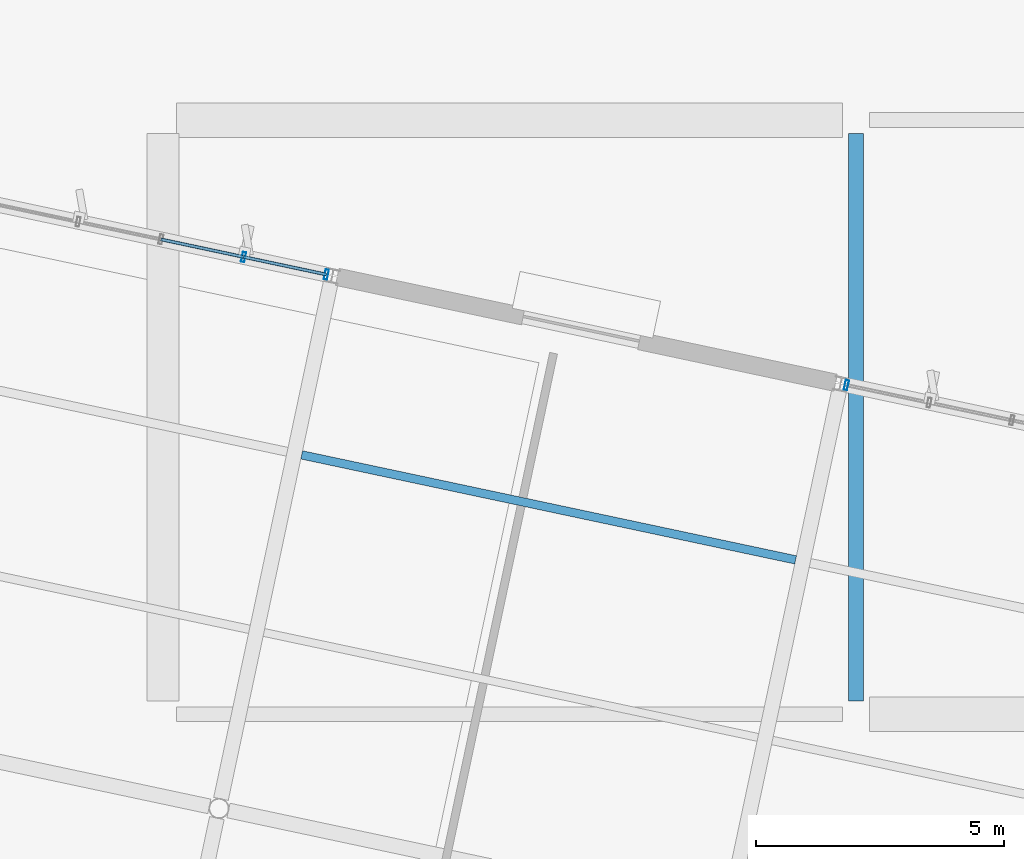
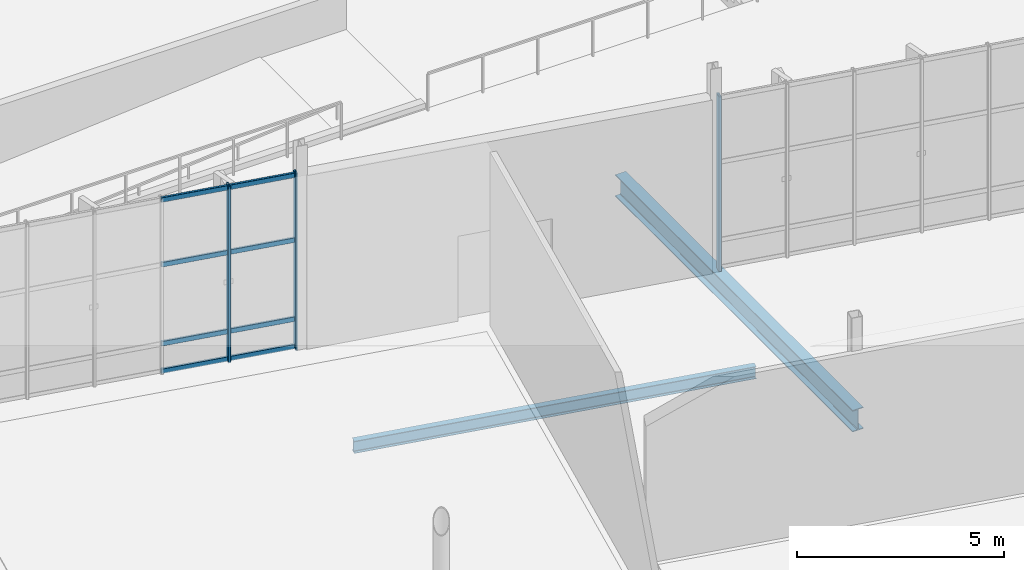
# One storey, part 56 of 163: 11 members, 2 beams, 2 elements without a shape of their own.
"""IFC4 building model written with IfcOpenShell, lengths in metres."""

from ifc_helpers import new_model, si_unit, direction, frame, origin, origin_2d, place, context, subcontext, project, spatial, hollow_rectangle, i_section, extrude, material, layer, layer_set, material_profile, profile_set, type_object, element, aggregate, save


model = new_model("IFC4")

# Units and contexts
model_context = context("Model", 3, precision=1e-05, world=origin(), true_north=direction((0.0, 1.0)))
body_context = subcontext(model_context, "Body", "Model", "MODEL_VIEW")
ifc_project = project(units=[si_unit("LENGTHUNIT", "METRE"), si_unit("AREAUNIT", "SQUARE_METRE"), si_unit("VOLUMEUNIT", "CUBIC_METRE"), si_unit("PLANEANGLEUNIT", "RADIAN"), si_unit("MASSUNIT", "GRAM", prefix="KILO")], contexts=[model_context])

# Site, building, storey
site_placement = place(None, origin())
site = spatial("IfcSite", under=ifc_project, at=site_placement, CompositionType="ELEMENT")
building_placement = place(site_placement, origin())
building = spatial("IfcBuilding", under=site, at=building_placement, Name="Khorjan Park Terminus", CompositionType="ELEMENT")
storey_placement = place(building_placement, origin())
storey = spatial("IfcBuildingStorey", under=building, at=storey_placement, Name="L00", CompositionType="ELEMENT", Elevation=0.0)

# Beams
ifc_material_1 = material(Name="Steel S355", Category="steel")
ifc_material_profile_1 = material_profile(ifc_material_1, i_section(OverallWidth=0.3, OverallDepth=0.64, WebThickness=0.0135, FlangeThickness=0.026, FilletRadius=0.027, at=origin_2d()), Name="HEA 650")
ifc_profile_set_1 = profile_set([ifc_material_profile_1], Name="Steel S355")
beam_type_1 = type_object("IfcBeamType", Name="BM-HEA650", PredefinedType="BEAM", material=ifc_profile_set_1)
beam_1_placement = place(storey_placement, frame((24.0, 74.27, -0.66), z_axis=(0.0, 1.0, 0.0), x_axis=(-1.0, 0.0, 0.0)))
element("IfcBeam", 1, at=beam_1_placement, inside=storey, type_object=beam_type_1, Name="Primary floor girder SB-A65 (L00)", PredefinedType="BEAM", context=body_context, shape_type="SweptSolid", body=[
    extrude(i_section(OverallWidth=0.3, OverallDepth=0.64, WebThickness=0.0135, FlangeThickness=0.026, FilletRadius=0.027, at=origin_2d()), origin(), (0.0, 0.0, 1.0), 11.46),
])
ifc_material_profile_2 = material_profile(ifc_material_1, i_section(OverallWidth=0.17, OverallDepth=0.36, WebThickness=0.008, FlangeThickness=0.0127, FilletRadius=0.018, at=origin_2d()), Name="IPE 360")
ifc_profile_set_2 = profile_set([ifc_material_profile_2], Name="Steel S355")
beam_type_2 = type_object("IfcBeamType", Name="JS-IPE360", PredefinedType="JOIST", material=ifc_profile_set_2)
beam_2_placement = place(storey_placement, frame((12.803, 79.2377, -0.52), z_axis=(0.978147562282, -0.207911871719, 0.0), x_axis=(0.207911871719, 0.978147562282, 0.0)))
element("IfcBeam", 2, at=beam_2_placement, inside=storey, type_object=beam_type_2, Name="Secondary composite floor joist SJ-36 (L00)", PredefinedType="JOIST", context=body_context, shape_type="SweptSolid", body=[
    extrude(i_section(OverallWidth=0.17, OverallDepth=0.36, WebThickness=0.008, FlangeThickness=0.0127, FilletRadius=0.018, at=origin_2d()), origin(), (0.0, 0.0, 1.0), 10.2),
])

# Curtain wall, member
ifc_material_2 = material(Name="Anodized Bronze Aluminium", Category="aluminium")
ifc_layer = layer(ifc_material_2, 0.22)
ifc_layer_set = layer_set([ifc_layer], Name="Anodized Bronze Aluminium")
curtain_wall_type = type_object("IfcCurtainWallType", Name="CW-PAV-C", PredefinedType="NOTDEFINED", material=ifc_layer_set)
curtain_wall_1_placement = place(storey_placement, origin())
curtain_wall_1 = element("IfcCurtainWall", 3, at=curtain_wall_1_placement, inside=storey, type_object=curtain_wall_type, Name="Unitized curtain wall CW-C (CW-V4-N-L00-B01)", PredefinedType="NOTDEFINED")
ifc_material_profile_3 = material_profile(ifc_material_2, hollow_rectangle(XDim=0.07, YDim=0.2, WallThickness=0.005, InnerFilletRadius=0.005, OuterFilletRadius=0.01, at=origin_2d()), Name="ALM 70x200x5")
ifc_profile_set_3 = profile_set([ifc_material_profile_3], Name="Anodized Bronze Aluminium")
member_type_1 = type_object("IfcMemberType", Name="ML-ALM-200", PredefinedType="MULLION", material=ifc_profile_set_3)
member_1_placement = place(storey_placement, frame((23.8064, 80.6474, -0.035), z_axis=(0.0, 0.0, 1.0), x_axis=(-0.978149552254, 0.207902509423, 0.0)))
member_1 = element("IfcMember", 4, at=member_1_placement, type_object=member_type_1, Name="Curtain-wall mullion ML-20 (CW-V4-N-L00-B01-6)", PredefinedType="MULLION", context=body_context, shape_type="SweptSolid", body=[
    extrude(hollow_rectangle(XDim=0.07, YDim=0.2, WallThickness=0.005, InnerFilletRadius=0.005, OuterFilletRadius=0.01, at=origin_2d()), origin(), (0.0, 0.0, 1.0), 5.145),
])
aggregate(curtain_wall_1, [member_1])

# Curtain wall, members
curtain_wall_2_placement = place(storey_placement, origin())
curtain_wall_2 = element("IfcCurtainWall", 5, at=curtain_wall_2_placement, inside=storey, type_object=curtain_wall_type, Name="Unitized curtain wall CW-C (CW-V4-N-L00-B03)", PredefinedType="NOTDEFINED")
member_2_placement = place(storey_placement, frame((13.3017, 82.8803, -0.035), z_axis=(0.0, 0.0, 1.0), x_axis=(-0.978147146591, 0.207913827382, 0.0)))
member_2 = element("IfcMember", 6, at=member_2_placement, type_object=member_type_1, Name="Curtain-wall mullion ML-20 (CW-V4-N-L00-B03-0)", PredefinedType="MULLION", context=body_context, shape_type="SweptSolid", body=[
    extrude(hollow_rectangle(XDim=0.07, YDim=0.2, WallThickness=0.005, InnerFilletRadius=0.005, OuterFilletRadius=0.01, at=origin_2d()), origin(), (0.0, 0.0, 1.0), 5.195),
])
member_3_placement = place(storey_placement, frame((11.6306, 83.2355, -0.035), z_axis=(0.0, 0.0, 1.0), x_axis=(-0.978147146591, 0.207913827382, 0.0)))
member_3 = element("IfcMember", 7, at=member_3_placement, type_object=member_type_1, Name="Curtain-wall mullion ML-20 (CW-V4-N-L00-B03-1)", PredefinedType="MULLION", context=body_context, shape_type="SweptSolid", body=[
    extrude(hollow_rectangle(XDim=0.07, YDim=0.2, WallThickness=0.005, InnerFilletRadius=0.005, OuterFilletRadius=0.01, at=origin_2d()), origin(), (0.0, 0.0, 1.0), 5.195),
])
ifc_material_profile_4 = material_profile(ifc_material_2, hollow_rectangle(XDim=0.065, YDim=0.14, WallThickness=0.004, InnerFilletRadius=0.004, OuterFilletRadius=0.008, at=origin_2d()), Name="ALT 65x140x4")
ifc_profile_set_4 = profile_set([ifc_material_profile_4], Name="Anodized Bronze Aluminium")
member_type_2 = type_object("IfcMemberType", Name="TR-ALT-140", PredefinedType="USERDEFINED", material=ifc_profile_set_4)
member_4_placement = place(storey_placement, frame((13.3017, 82.8803, 0.04), z_axis=(-0.978147990011, 0.207909859405, 0.0), x_axis=(-0.207909859405, -0.978147990011, 0.0)))
member_4 = element("IfcMember", 8, at=member_4_placement, type_object=member_type_2, Name="Curtain-wall transom TR-14 (CW-V4-N-L00-B03-0-1)", ObjectType="TRANSOM", PredefinedType="USERDEFINED", context=body_context, shape_type="SweptSolid", body=[
    extrude(hollow_rectangle(XDim=0.065, YDim=0.14, WallThickness=0.004, InnerFilletRadius=0.004, OuterFilletRadius=0.008, at=origin_2d()), origin(), (0.0, 0.0, 1.0), 1.7084),
])
member_5_placement = place(storey_placement, frame((13.3017, 82.8803, 0.85), z_axis=(-0.978147990011, 0.207909859405, 0.0), x_axis=(-0.207909859405, -0.978147990011, 0.0)))
member_5 = element("IfcMember", 9, at=member_5_placement, type_object=member_type_2, Name="Curtain-wall transom TR-14 (CW-V4-N-L00-B03-0-2)", ObjectType="TRANSOM", PredefinedType="USERDEFINED", context=body_context, shape_type="SweptSolid", body=[
    extrude(hollow_rectangle(XDim=0.065, YDim=0.14, WallThickness=0.004, InnerFilletRadius=0.004, OuterFilletRadius=0.008, at=origin_2d()), origin(), (0.0, 0.0, 1.0), 1.7084),
])
member_6_placement = place(storey_placement, frame((13.3017, 82.8803, 3.1775), z_axis=(-0.978147990011, 0.207909859405, 0.0), x_axis=(-0.207909859405, -0.978147990011, 0.0)))
member_6 = element("IfcMember", 10, at=member_6_placement, type_object=member_type_2, Name="Curtain-wall transom TR-14 (CW-V4-N-L00-B03-0-3)", ObjectType="TRANSOM", PredefinedType="USERDEFINED", context=body_context, shape_type="SweptSolid", body=[
    extrude(hollow_rectangle(XDim=0.065, YDim=0.14, WallThickness=0.004, InnerFilletRadius=0.004, OuterFilletRadius=0.008, at=origin_2d()), origin(), (0.0, 0.0, 1.0), 1.7084),
])
member_7_placement = place(storey_placement, frame((13.3017, 82.8803, 5.085), z_axis=(-0.978147990011, 0.207909859405, 0.0), x_axis=(-0.207909859405, -0.978147990011, 0.0)))
member_7 = element("IfcMember", 11, at=member_7_placement, type_object=member_type_2, Name="Curtain-wall transom TR-14 (CW-V4-N-L00-B03-0-4)", ObjectType="TRANSOM", PredefinedType="USERDEFINED", context=body_context, shape_type="SweptSolid", body=[
    extrude(hollow_rectangle(XDim=0.065, YDim=0.14, WallThickness=0.004, InnerFilletRadius=0.004, OuterFilletRadius=0.008, at=origin_2d()), origin(), (0.0, 0.0, 1.0), 1.7084),
])
member_8_placement = place(storey_placement, frame((11.6306, 83.2355, 0.04), z_axis=(-0.978145459608, 0.207921763766, 0.0), x_axis=(-0.207921763766, -0.978145459608, 0.0)))
member_8 = element("IfcMember", 12, at=member_8_placement, type_object=member_type_2, Name="Curtain-wall transom TR-14 (CW-V4-N-L00-B03-1-1)", ObjectType="TRANSOM", PredefinedType="USERDEFINED", context=body_context, shape_type="SweptSolid", body=[
    extrude(hollow_rectangle(XDim=0.065, YDim=0.14, WallThickness=0.004, InnerFilletRadius=0.004, OuterFilletRadius=0.008, at=origin_2d()), origin(), (0.0, 0.0, 1.0), 1.7083),
])
member_9_placement = place(storey_placement, frame((11.6306, 83.2355, 0.85), z_axis=(-0.978145459608, 0.207921763766, 0.0), x_axis=(-0.207921763766, -0.978145459608, 0.0)))
member_9 = element("IfcMember", 13, at=member_9_placement, type_object=member_type_2, Name="Curtain-wall transom TR-14 (CW-V4-N-L00-B03-1-2)", ObjectType="TRANSOM", PredefinedType="USERDEFINED", context=body_context, shape_type="SweptSolid", body=[
    extrude(hollow_rectangle(XDim=0.065, YDim=0.14, WallThickness=0.004, InnerFilletRadius=0.004, OuterFilletRadius=0.008, at=origin_2d()), origin(), (0.0, 0.0, 1.0), 1.7083),
])
member_10_placement = place(storey_placement, frame((11.6306, 83.2355, 3.1775), z_axis=(-0.978145459608, 0.207921763766, 0.0), x_axis=(-0.207921763766, -0.978145459608, 0.0)))
member_10 = element("IfcMember", 14, at=member_10_placement, type_object=member_type_2, Name="Curtain-wall transom TR-14 (CW-V4-N-L00-B03-1-3)", ObjectType="TRANSOM", PredefinedType="USERDEFINED", context=body_context, shape_type="SweptSolid", body=[
    extrude(hollow_rectangle(XDim=0.065, YDim=0.14, WallThickness=0.004, InnerFilletRadius=0.004, OuterFilletRadius=0.008, at=origin_2d()), origin(), (0.0, 0.0, 1.0), 1.7083),
])
member_11_placement = place(storey_placement, frame((11.6306, 83.2355, 5.085), z_axis=(-0.978145459608, 0.207921763766, 0.0), x_axis=(-0.207921763766, -0.978145459608, 0.0)))
member_11 = element("IfcMember", 15, at=member_11_placement, type_object=member_type_2, Name="Curtain-wall transom TR-14 (CW-V4-N-L00-B03-1-4)", ObjectType="TRANSOM", PredefinedType="USERDEFINED", context=body_context, shape_type="SweptSolid", body=[
    extrude(hollow_rectangle(XDim=0.065, YDim=0.14, WallThickness=0.004, InnerFilletRadius=0.004, OuterFilletRadius=0.008, at=origin_2d()), origin(), (0.0, 0.0, 1.0), 1.7083),
])
aggregate(curtain_wall_2, [member_2, member_3, member_4, member_5, member_6, member_7, member_8, member_9, member_10, member_11])

save(model, "model.ifc")
